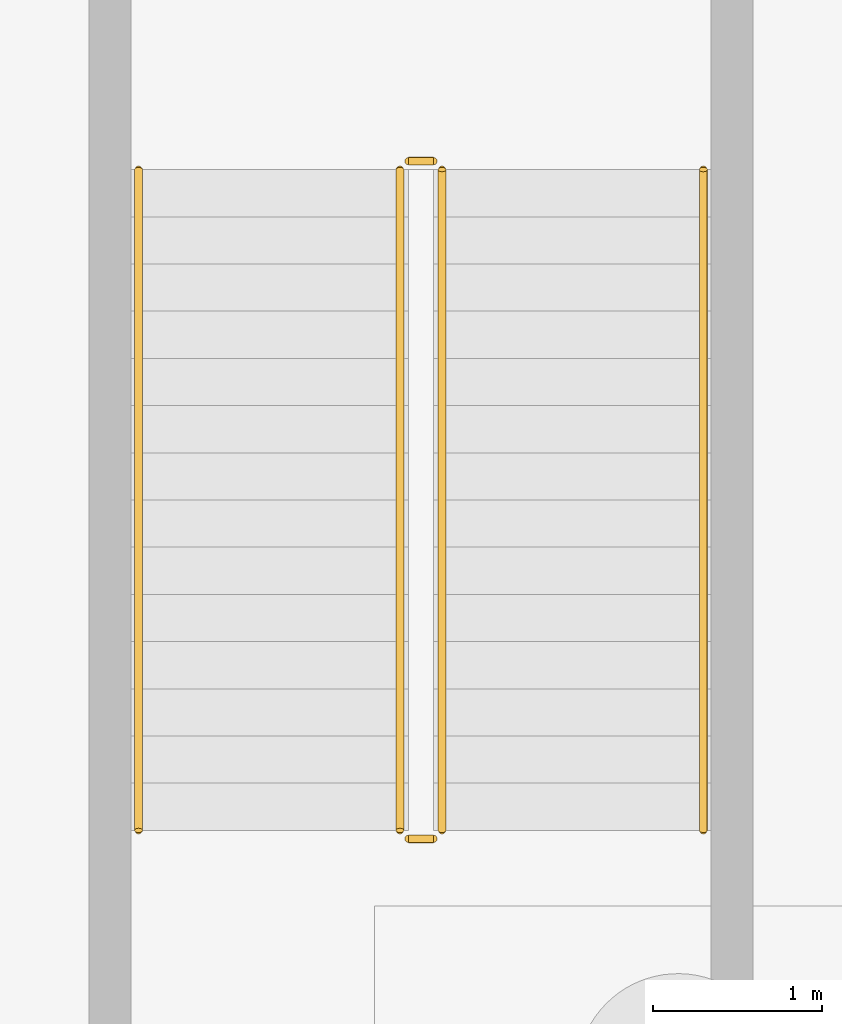
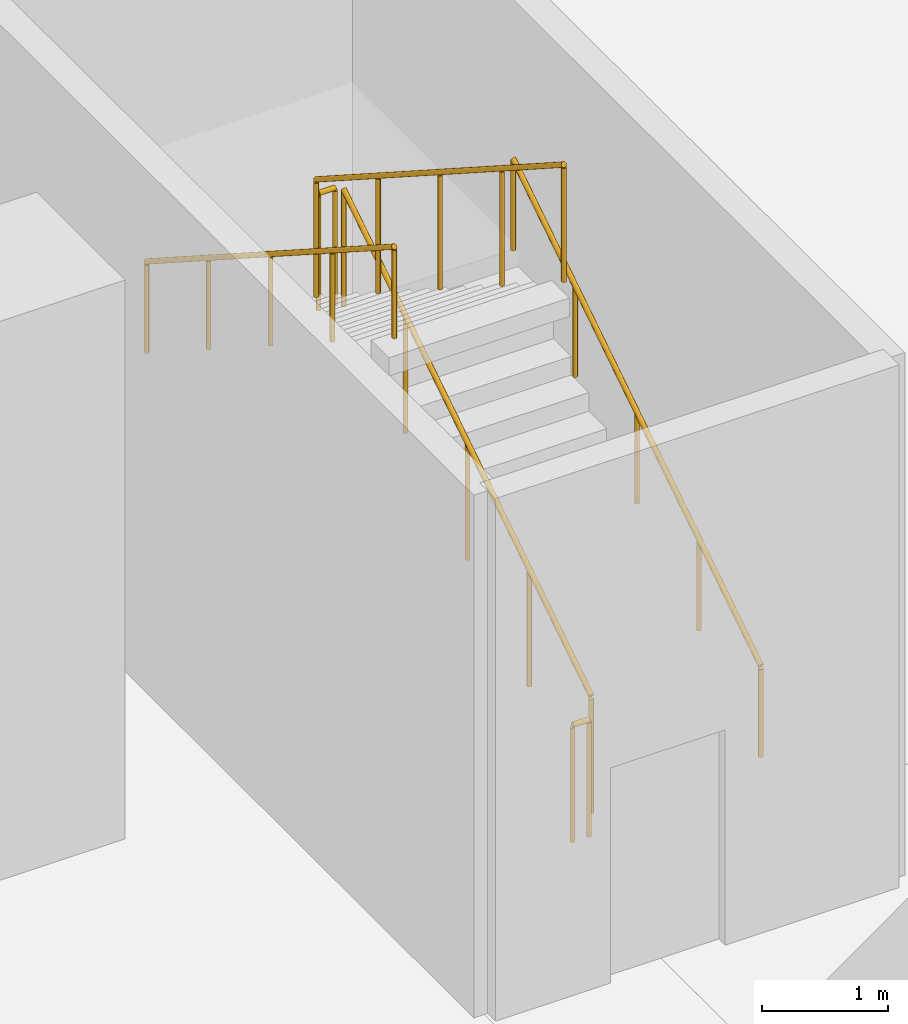
# One storey, part 14 of 16: 6 railings.
"""IFC4 building model written with IfcOpenShell, lengths in metres."""

from ifc_helpers import new_model, si_unit, direction, frame, origin, origin_2d, place, context, subcontext, project, spatial, circle, extrude, material, type_object, element, save


model = new_model("IFC4")

# Units and contexts
model_context = context("Model", 3, precision=1e-05, world=origin(), true_north=direction((0.0, 1.0)))
body_context = subcontext(model_context, "Body", "Model", "MODEL_VIEW")
ifc_project = project(units=[si_unit("LENGTHUNIT", "METRE"), si_unit("AREAUNIT", "SQUARE_METRE"), si_unit("VOLUMEUNIT", "CUBIC_METRE"), si_unit("PLANEANGLEUNIT", "RADIAN"), si_unit("MASSUNIT", "GRAM", prefix="KILO")], contexts=[model_context])

# Site, building, storey
site_placement = place(None, origin())
site = spatial("IfcSite", under=ifc_project, at=site_placement, CompositionType="ELEMENT")
building_placement = place(site_placement, origin())
building = spatial("IfcBuilding", under=site, at=building_placement, Name="Trevonay Congress Spire", CompositionType="ELEMENT")
storey_placement = place(building_placement, frame((0.0, 0.0, -10.800048828125)))
storey = spatial("IfcBuildingStorey", under=building, at=storey_placement, Name="B2", CompositionType="ELEMENT", Elevation=-10.800048828125)

# Railings
ifc_material = material(Name="Pale Anodised Aluminium EN AW-6063-T6", Category="aluminium")
railing_type_1 = type_object("IfcRailingType", Name="RAL-STAIR-GUARD-110", PredefinedType="GUARDRAIL", material=ifc_material)
railing_1_placement = place(storey_placement, frame((27.199951171875, -21.949951171875, 0.179931640625)))
element("IfcRailing", 1, at=railing_1_placement, inside=storey, type_object=railing_type_1, Name="B2 ST-4 stair guard 1", PredefinedType="GUARDRAIL", context=body_context, shape_type="SweptSolid", body=[
    extrude(circle(Radius=0.02392578125, at=origin_2d()), frame((0.0, 0.0, 1.1259765625), z_axis=(0.0, 0.841171666519, 0.540768182723), x_axis=(-1.0, 0.0, 0.0)), (0.0, 0.0, 1.0), 4.66015625),
    extrude(circle(Radius=0.02099609375, at=origin_2d()), origin(), (0.0, 0.0, 1.0), 1.101806640625),
    extrude(circle(Radius=0.02099609375, at=origin_2d()), frame((0.0, 0.97998046875, 0.6298828125)), (0.0, 0.0, 1.0), 1.101806640625),
    extrude(circle(Radius=0.02099609375, at=origin_2d()), frame((0.0, 1.9599609375, 1.260009765625)), (0.0, 0.0, 1.0), 1.101806640625),
    extrude(circle(Radius=0.02099609375, at=origin_2d()), frame((0.0, 2.93994140625, 1.89013671875)), (0.0, 0.0, 1.0), 1.101806640625),
    extrude(circle(Radius=0.02099609375, at=origin_2d()), frame((0.0, 3.919921875, 2.52001953125)), (0.0, 0.0, 1.0), 1.101806640625),
])
railing_2_placement = place(storey_placement, frame((27.14990234375, -17.97998046875, 2.699951171875)))
element("IfcRailing", 2, at=railing_2_placement, inside=storey, type_object=railing_type_1, Name="B2 ST-4 stair guard 2", PredefinedType="GUARDRAIL", context=body_context, shape_type="SweptSolid", body=[
    extrude(circle(Radius=0.02392578125, at=origin_2d()), frame((0.0, 0.0, 1.1259765625), z_axis=(-1.0, 0.0, 0.0), x_axis=(0.0, -1.0, 0.0)), (0.0, 0.0, 1.0), 0.14990234375),
    extrude(circle(Radius=0.02099609375, at=origin_2d()), origin(), (0.0, 0.0, 1.0), 1.101806640625),
    extrude(circle(Radius=0.02099609375, at=origin_2d()), frame((-0.14990234375, 0.0, 0.0)), (0.0, 0.0, 1.0), 1.101806640625),
])
railing_3_placement = place(storey_placement, frame((26.949951171875, -18.030029296875, 2.880126953125)))
element("IfcRailing", 3, at=railing_3_placement, inside=storey, type_object=railing_type_1, Name="B2 ST-4 stair guard 3", PredefinedType="GUARDRAIL", context=body_context, shape_type="SweptSolid", body=[
    extrude(circle(Radius=0.02392578125, at=origin_2d()), frame((0.0, 0.0, 1.1259765625), z_axis=(0.0, -0.841171666519, 0.540768182723), x_axis=(1.0, 0.0, 0.0)), (0.0, 0.0, 1.0), 4.66015625),
    extrude(circle(Radius=0.02099609375, at=origin_2d()), origin(), (0.0, 0.0, 1.0), 1.101806640625),
    extrude(circle(Radius=0.02099609375, at=origin_2d()), frame((0.0, -0.97998046875, 0.6298828125)), (0.0, 0.0, 1.0), 1.101806640625),
    extrude(circle(Radius=0.02099609375, at=origin_2d()), frame((0.0, -1.9599609375, 1.260009765625)), (0.0, 0.0, 1.0), 1.101806640625),
    extrude(circle(Radius=0.02099609375, at=origin_2d()), frame((0.0, -2.93994140625, 1.89013671875)), (0.0, 0.0, 1.0), 1.101806640625),
    extrude(circle(Radius=0.02099609375, at=origin_2d()), frame((0.0, -3.919921875, 2.52001953125)), (0.0, 0.0, 1.0), 1.101806640625),
])
railing_4_placement = place(storey_placement, frame((27.14990234375, -22.0, 0.0)))
element("IfcRailing", 4, at=railing_4_placement, inside=storey, type_object=railing_type_1, Name="B2 ST-4 stair guard 4", PredefinedType="GUARDRAIL", context=body_context, shape_type="SweptSolid", body=[
    extrude(circle(Radius=0.02392578125, at=origin_2d()), frame((0.0, 0.0, 1.1259765625), z_axis=(-1.0, 0.0, 0.0), x_axis=(0.0, -1.0, 0.0)), (0.0, 0.0, 1.0), 0.14990234375),
    extrude(circle(Radius=0.02099609375, at=origin_2d()), origin(), (0.0, 0.0, 1.0), 1.101806640625),
    extrude(circle(Radius=0.02099609375, at=origin_2d()), frame((-0.14990234375, 0.0, 0.0)), (0.0, 0.0, 1.0), 1.101806640625),
])
railing_type_2 = type_object("IfcRailingType", Name="RAL-STAIR-HANDRAIL", PredefinedType="HANDRAIL", material=ifc_material)
railing_5_placement = place(storey_placement, frame((28.75, -21.949951171875, 0.179931640625)))
element("IfcRailing", 5, at=railing_5_placement, inside=storey, type_object=railing_type_2, Name="B2 ST-4 stair handrail 1", PredefinedType="HANDRAIL", context=body_context, shape_type="SweptSolid", body=[
    extrude(circle(Radius=0.02392578125, at=origin_2d()), frame((0.0, 0.0, 0.8759765625), z_axis=(0.0, 0.841171666519, 0.540768182723), x_axis=(-1.0, 0.0, 0.0)), (0.0, 0.0, 1.0), 4.66015625),
    extrude(circle(Radius=0.02099609375, at=origin_2d()), origin(), (0.0, 0.0, 1.0), 0.851806640625),
    extrude(circle(Radius=0.02099609375, at=origin_2d()), frame((0.0, 0.97998046875, 0.6298828125)), (0.0, 0.0, 1.0), 0.851806640625),
    extrude(circle(Radius=0.02099609375, at=origin_2d()), frame((0.0, 1.9599609375, 1.260009765625)), (0.0, 0.0, 1.0), 0.851806640625),
    extrude(circle(Radius=0.02099609375, at=origin_2d()), frame((0.0, 2.93994140625, 1.89013671875)), (0.0, 0.0, 1.0), 0.851806640625),
    extrude(circle(Radius=0.02099609375, at=origin_2d()), frame((0.0, 3.919921875, 2.52001953125)), (0.0, 0.0, 1.0), 0.851806640625),
])
railing_6_placement = place(storey_placement, frame((25.39990234375, -18.030029296875, 2.880126953125)))
element("IfcRailing", 6, at=railing_6_placement, inside=storey, type_object=railing_type_2, Name="B2 ST-4 stair handrail 2", PredefinedType="HANDRAIL", context=body_context, shape_type="SweptSolid", body=[
    extrude(circle(Radius=0.02392578125, at=origin_2d()), frame((0.0, 0.0, 0.8759765625), z_axis=(0.0, -0.841171666519, 0.540768182723), x_axis=(1.0, 0.0, 0.0)), (0.0, 0.0, 1.0), 4.66015625),
    extrude(circle(Radius=0.02099609375, at=origin_2d()), origin(), (0.0, 0.0, 1.0), 0.851806640625),
    extrude(circle(Radius=0.02099609375, at=origin_2d()), frame((0.0, -0.97998046875, 0.6298828125)), (0.0, 0.0, 1.0), 0.851806640625),
    extrude(circle(Radius=0.02099609375, at=origin_2d()), frame((0.0, -1.9599609375, 1.260009765625)), (0.0, 0.0, 1.0), 0.851806640625),
    extrude(circle(Radius=0.02099609375, at=origin_2d()), frame((0.0, -2.93994140625, 1.89013671875)), (0.0, 0.0, 1.0), 0.851806640625),
    extrude(circle(Radius=0.02099609375, at=origin_2d()), frame((0.0, -3.919921875, 2.52001953125)), (0.0, 0.0, 1.0), 0.851806640625),
])

save(model, "model.ifc")
